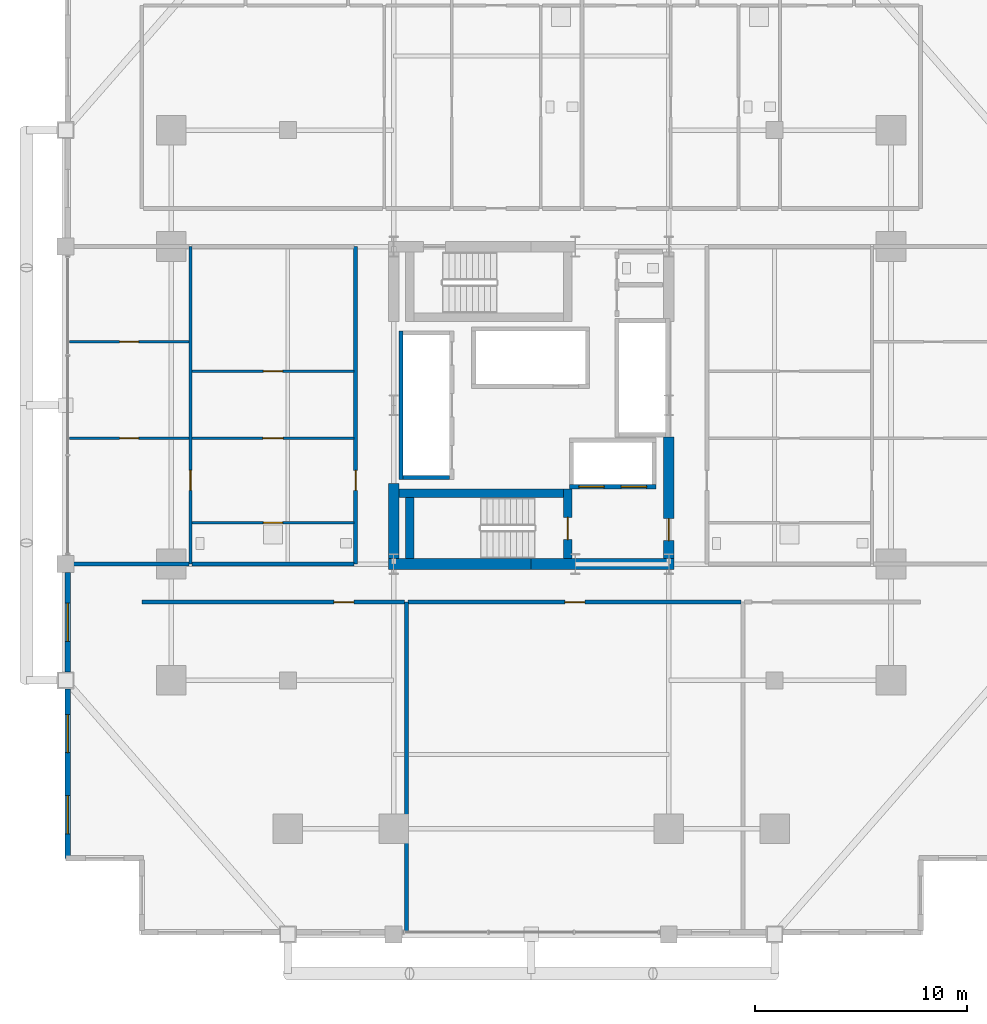
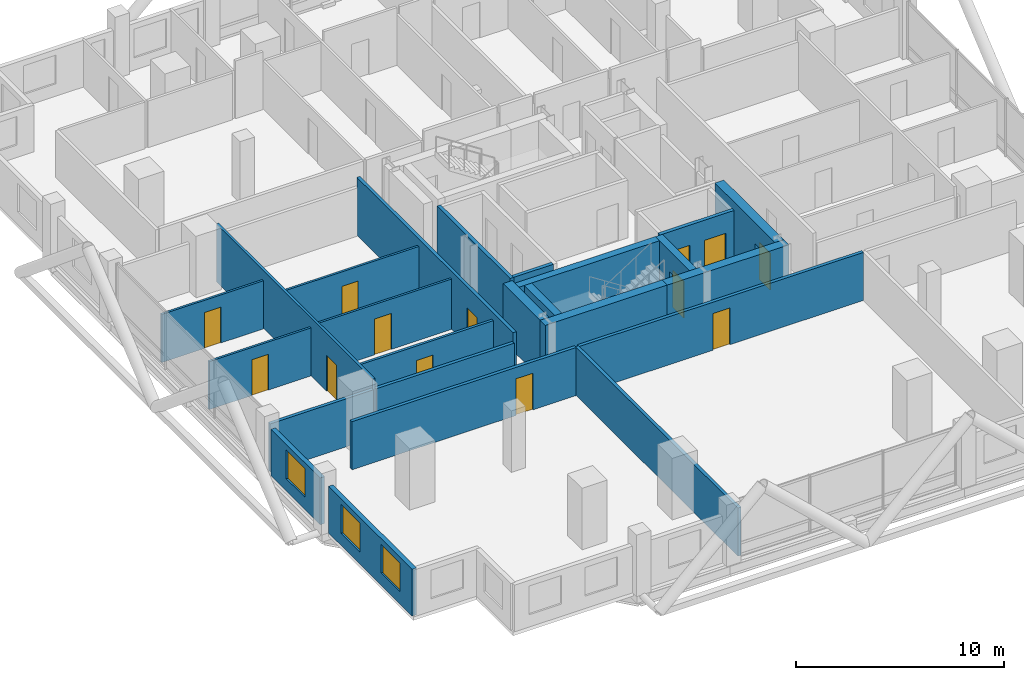
# One storey, part 21 of 27: 24 walls, 13 doors, 3 windows, 16 openings.
"""IFC4 building model written with IfcOpenShell, lengths in metres."""

from ifc_helpers import new_model, si_unit, direction, frame, frame_2d, origin, place, context, subcontext, project, spatial, rectangle, extrude, material, layer, layer_set, type_object, element, fill, save


model = new_model("IFC4")

# Units and contexts
model_context = context("Model", 3, precision=1e-05, world=origin(), true_north=direction((0.0, 1.0)))
body_context = subcontext(model_context, "Body", "Model", "MODEL_VIEW")
ifc_project = project(units=[si_unit("LENGTHUNIT", "METRE"), si_unit("AREAUNIT", "SQUARE_METRE"), si_unit("VOLUMEUNIT", "CUBIC_METRE"), si_unit("PLANEANGLEUNIT", "RADIAN"), si_unit("MASSUNIT", "GRAM", prefix="KILO")], contexts=[model_context])

# Site, building, storey
site_placement = place(None, origin())
site = spatial("IfcSite", under=ifc_project, at=site_placement, CompositionType="ELEMENT")
building_placement = place(site_placement, origin())
building = spatial("IfcBuilding", under=site, at=building_placement, Name="Barlavira Tower and Art Museum", CompositionType="ELEMENT")
storey_placement = place(building_placement, frame((0.0, 0.0, 61.199951171875)))
storey = spatial("IfcBuildingStorey", under=building, at=storey_placement, Name="L14", CompositionType="ELEMENT", Elevation=61.199951171875)

# Wall, opening, door
ifc_material_1 = material(Name="Gypsum acoustic stud partition", Category="gypsum")
ifc_layer_1 = layer(ifc_material_1, 0.1201171875, Name="Gypsum acoustic stud partition")
ifc_layer_set_1 = layer_set([ifc_layer_1], Name="Gypsum acoustic stud partition")
wall_type_1 = type_object("IfcWallType", Name="Apartment Internal Acoustic Partition 120", PredefinedType="PARTITIONING", material=ifc_layer_set_1)
wall_1_placement = place(storey_placement, frame((-21.820068359375, -1.550048828125, 0.0), z_axis=(0.0, 0.0, 1.0), x_axis=(1.0, 0.0, 0.0)))
wall_1 = element("IfcWall", 1, at=wall_1_placement, inside=storey, type_object=wall_type_1, Name="L14 Partition Wall 30", PredefinedType="PARTITIONING", context=body_context, shape_type="SweptSolid", body=[
    extrude(rectangle(XDim=5.64013671875, YDim=0.1201171875, at=frame_2d((2.820068359375, 0.0))), origin(), (0.0, 0.0, 1.0), 2.816162109375),
])
opening_1_placement = place(wall_1_placement, frame((2.3701171875, 0.0, 0.0)))
opening_1 = element("IfcOpeningElement", 2, at=opening_1_placement, cuts=wall_1, Name="Opening D-01", PredefinedType="OPENING", context=body_context, shape_type="SweptSolid", body=[
    extrude(rectangle(XDim=0.89990234375, YDim=2.10009765625, at=frame_2d((0.449951171875, 1.050048828125))), frame((0.0, 0.070068359375, 0.0), z_axis=(0.0, -1.0, 0.0), x_axis=(1.0, 0.0, 0.0)), (0.0, 0.0, 1.0), 0.14013671875),
])
ifc_material_2 = material(Name="Engineered coastal hardwood", Category="wood")
door_type_1 = type_object("IfcDoorType", Name="Internal Bedroom Timber Flush Door 900x2100", OperationType="NOTDEFINED", PredefinedType="DOOR", material=ifc_material_2)
door_1_placement = place(opening_1_placement, origin())
door_1 = element("IfcDoor", 3, at=door_1_placement, inside=storey, type_object=door_type_1, Name="Apartment W1 Bedroom 1 Door", OperationType="SINGLE_SWING_LEFT", OverallHeight=2.10009765625, OverallWidth=0.89990234375, PredefinedType="DOOR", context=body_context, shape_type="SweptSolid", body=[
    extrude(rectangle(XDim=0.89990234375, YDim=2.10009765625, at=frame_2d((0.449951171875, 1.050048828125))), frame((0.0, 0.02490234375, 0.0), z_axis=(0.0, -1.0, 0.0), x_axis=(1.0, 0.0, 0.0)), (0.0, 0.0, 1.0), 0.050048828125),
])
fill(opening_1, door_1)

wall_2_placement = place(storey_placement, frame((-16.02001953125, -1.550048828125, 0.0), z_axis=(0.0, 0.0, 1.0), x_axis=(1.0, 0.0, 0.0)))
wall_2 = element("IfcWall", 4, at=wall_2_placement, inside=storey, type_object=wall_type_1, Name="L14 Partition Wall 31", PredefinedType="PARTITIONING", context=body_context, shape_type="SweptSolid", body=[
    extrude(rectangle(XDim=7.64013671875, YDim=0.1201171875, at=frame_2d((3.820068359375, 0.0))), origin(), (0.0, 0.0, 1.0), 2.947998046875),
])
opening_2_placement = place(wall_2_placement, frame((3.344970703125, 0.0, 0.0)))
opening_2 = element("IfcOpeningElement", 5, at=opening_2_placement, cuts=wall_2, Name="Opening D-02", PredefinedType="OPENING", context=body_context, shape_type="SweptSolid", body=[
    extrude(rectangle(XDim=0.949951171875, YDim=2.10009765625, at=frame_2d((0.47509765625, 1.050048828125))), frame((0.0, 0.070068359375, 0.0), z_axis=(0.0, -1.0, 0.0), x_axis=(1.0, 0.0, 0.0)), (0.0, 0.0, 1.0), 0.14013671875),
])
door_type_2 = type_object("IfcDoorType", Name="Living and Salon Glazed-Leaf Door 950x2100", OperationType="NOTDEFINED", PredefinedType="DOOR", material=ifc_material_2)
door_2_placement = place(opening_2_placement, origin())
door_2 = element("IfcDoor", 6, at=door_2_placement, inside=storey, type_object=door_type_2, Name="Apartment W1 Kitchen Door", OperationType="SINGLE_SWING_RIGHT", OverallHeight=2.10009765625, OverallWidth=0.949951171875, PredefinedType="DOOR", context=body_context, shape_type="SweptSolid", body=[
    extrude(rectangle(XDim=0.949951171875, YDim=2.10009765625, at=frame_2d((0.47509765625, 1.050048828125))), frame((0.0, 0.02490234375, 0.0), z_axis=(0.0, -1.0, 0.0), x_axis=(1.0, 0.0, 0.0)), (0.0, 0.0, 1.0), 0.050048828125),
])
fill(opening_2, door_2)

wall_3_placement = place(storey_placement, frame((-16.02001953125, 1.60009765625, 0.0), z_axis=(0.0, 0.0, 1.0), x_axis=(1.0, 0.0, 0.0)))
wall_3 = element("IfcWall", 7, at=wall_3_placement, inside=storey, type_object=wall_type_1, Name="L14 Partition Wall 34", PredefinedType="PARTITIONING", context=body_context, shape_type="SweptSolid", body=[
    extrude(rectangle(XDim=7.64013671875, YDim=0.1201171875, at=frame_2d((3.820068359375, 0.0))), origin(), (0.0, 0.0, 1.0), 2.947998046875),
])
opening_3_placement = place(wall_3_placement, frame((3.3701171875, 0.0, 0.0)))
opening_3 = element("IfcOpeningElement", 8, at=opening_3_placement, cuts=wall_3, Name="Opening D-01", PredefinedType="OPENING", context=body_context, shape_type="SweptSolid", body=[
    extrude(rectangle(XDim=0.89990234375, YDim=2.10009765625, at=frame_2d((0.449951171875, 1.050048828125))), frame((0.0, 0.070068359375, 0.0), z_axis=(0.0, -1.0, 0.0), x_axis=(1.0, 0.0, 0.0)), (0.0, 0.0, 1.0), 0.14013671875),
])
door_3_placement = place(opening_3_placement, origin())
door_3 = element("IfcDoor", 9, at=door_3_placement, inside=storey, type_object=door_type_1, Name="Apartment W1 Walk-In Dressing Room Door", OperationType="SINGLE_SWING_LEFT", OverallHeight=2.10009765625, OverallWidth=0.89990234375, PredefinedType="DOOR", context=body_context, shape_type="SweptSolid", body=[
    extrude(rectangle(XDim=0.89990234375, YDim=2.10009765625, at=frame_2d((0.449951171875, 1.050048828125))), frame((0.0, 0.02490234375, 0.0), z_axis=(0.0, -1.0, 0.0), x_axis=(1.0, 0.0, 0.0)), (0.0, 0.0, 1.0), 0.050048828125),
])
fill(opening_3, door_3)

wall_4_placement = place(storey_placement, frame((-21.820068359375, 3.0, 0.0), z_axis=(0.0, 0.0, 1.0), x_axis=(1.0, 0.0, 0.0)))
wall_4 = element("IfcWall", 10, at=wall_4_placement, inside=storey, type_object=wall_type_1, Name="L14 Partition Wall 36", PredefinedType="PARTITIONING", context=body_context, shape_type="SweptSolid", body=[
    extrude(rectangle(XDim=5.64013671875, YDim=0.1201171875, at=frame_2d((2.820068359375, 0.0))), origin(), (0.0, 0.0, 1.0), 2.816162109375),
])
opening_4_placement = place(wall_4_placement, frame((2.3701171875, 0.0, 0.0)))
opening_4 = element("IfcOpeningElement", 11, at=opening_4_placement, cuts=wall_4, Name="Opening D-01", PredefinedType="OPENING", context=body_context, shape_type="SweptSolid", body=[
    extrude(rectangle(XDim=0.89990234375, YDim=2.10009765625, at=frame_2d((0.449951171875, 1.050048828125))), frame((0.0, 0.070068359375, 0.0), z_axis=(0.0, -1.0, 0.0), x_axis=(1.0, 0.0, 0.0)), (0.0, 0.0, 1.0), 0.14013671875),
])
door_4_placement = place(opening_4_placement, origin())
door_4 = element("IfcDoor", 12, at=door_4_placement, inside=storey, type_object=door_type_1, Name="Apartment W1 Bedroom 2 Door", OperationType="SINGLE_SWING_RIGHT", OverallHeight=2.10009765625, OverallWidth=0.89990234375, PredefinedType="DOOR", context=body_context, shape_type="SweptSolid", body=[
    extrude(rectangle(XDim=0.89990234375, YDim=2.10009765625, at=frame_2d((0.449951171875, 1.050048828125))), frame((0.0, 0.02490234375, 0.0), z_axis=(0.0, -1.0, 0.0), x_axis=(1.0, 0.0, 0.0)), (0.0, 0.0, 1.0), 0.050048828125),
])
fill(opening_4, door_4)

# Walls
ifc_material_3 = material(Name="Concrete C60", Category="concrete")
ifc_layer_2 = layer(ifc_material_3, 0.5, Name="Concrete C60")
ifc_layer_set_2 = layer_set([ifc_layer_2], Name="Concrete C60")
wall_type_2 = type_object("IfcWallType", Name="Core Structural Shear Wall 500 Concrete C60", PredefinedType="SHEAR", material=ifc_layer_set_2)
for number, where, z_axis, x_axis, name in (
    (13, (-6.75, -7.5, 0.0), (0.0, 0.0, 1.0), (1.0, 0.0, 0.0), "L14 Core Shear Wall CS-SW"),
    (14, (0.0, -7.5, 0.0), (0.0, 0.0, 1.0), (1.0, 0.0, 0.0), "L14 Core Shear Wall CS-SE"),
):
    element("IfcWall", number, at=place(storey_placement, frame(where, z_axis=z_axis, x_axis=x_axis)), inside=storey, type_object=wall_type_2, Name=name, PredefinedType="SHEAR", context=body_context, shape_type="SweptSolid", body=[
        extrude(rectangle(XDim=6.75, YDim=0.5, at=frame_2d((3.375, 0.0))), origin(), (0.0, 0.0, 1.0), 3.380126953125),
    ])
wall_5_placement = place(storey_placement, frame((-6.5, -7.25, 0.0), z_axis=(0.0, 0.0, 1.0), x_axis=(0.0, 1.0, 0.0)))
element("IfcWall", 15, at=wall_5_placement, inside=storey, type_object=wall_type_2, Name="L14 Core Shear Wall CS-W1", PredefinedType="SHEAR", context=body_context, shape_type="SweptSolid", body=[
    extrude(rectangle(XDim=3.550048828125, YDim=0.5, at=frame_2d((1.77490234375, 0.0))), origin(), (0.0, 0.0, 1.0), 3.380126953125),
])

# Wall, opening, door
wall_6_placement = place(storey_placement, frame((6.5, -7.25, 0.0), z_axis=(0.0, 0.0, 1.0), x_axis=(0.0, 1.0, 0.0)))
wall_6 = element("IfcWall", 16, at=wall_6_placement, inside=storey, type_object=wall_type_2, Name="L14 Core Shear Wall CS-E1", PredefinedType="SHEAR", context=body_context, shape_type="SweptSolid", body=[
    extrude(rectangle(XDim=5.75, YDim=0.5, at=frame_2d((2.875, 0.0))), origin(), (0.0, 0.0, 1.0), 3.380126953125),
])
opening_5_placement = place(wall_6_placement, frame((0.85009765625, 0.0, 0.0)))
opening_5 = element("IfcOpeningElement", 17, at=opening_5_placement, cuts=wall_6, Name="Opening FD-90", PredefinedType="OPENING", context=body_context, shape_type="SweptSolid", body=[
    extrude(rectangle(XDim=1.050048828125, YDim=2.14990234375, at=frame_2d((0.52490234375, 1.074951171875))), frame((0.0, 0.260009765625, 0.0), z_axis=(0.0, -1.0, 0.0), x_axis=(1.0, 0.0, 0.0)), (0.0, 0.0, 1.0), 0.52001953125),
])
ifc_material_4 = material(Name="Brushed stainless steel", Category="steel")
door_type_3 = type_object("IfcDoorType", Name="Stair and Refuge Fire Door 1050x2150 FD90S", OperationType="NOTDEFINED", PredefinedType="DOOR", material=ifc_material_4)
door_5_placement = place(opening_5_placement, origin())
door_5 = element("IfcDoor", 18, at=door_5_placement, inside=storey, type_object=door_type_3, Name="L14 Firefighting Lobby Entry Fire Door", OperationType="SINGLE_SWING_LEFT", OverallHeight=2.14990234375, OverallWidth=1.050048828125, PredefinedType="DOOR", context=body_context, shape_type="SweptSolid", body=[
    extrude(rectangle(XDim=1.050048828125, YDim=2.14990234375, at=frame_2d((0.52490234375, 1.074951171875))), frame((0.0, 0.02490234375, 0.0), z_axis=(0.0, -1.0, 0.0), x_axis=(1.0, 0.0, 0.0)), (0.0, 0.0, 1.0), 0.050048828125),
])
fill(opening_5, door_5)

# Walls
ifc_material_5 = material(Name="Autoclaved aerated concrete masonry", Category="masonry")
ifc_layer_3 = layer(ifc_material_5, 0.199951171875, Name="Autoclaved aerated concrete masonry")
ifc_layer_set_3 = layer_set([ifc_layer_3], Name="Autoclaved aerated concrete masonry")
wall_type_3 = type_object("IfcWallType", Name="Fire Compartment and Shaft Wall 200", PredefinedType="SOLIDWALL", material=ifc_layer_set_3)
wall_7_placement = place(storey_placement, frame((-6.14990234375, -3.510009765625, 0.0), z_axis=(0.0, 0.0, 1.0), x_axis=(0.0, 1.0, 0.0)))
element("IfcWall", 19, at=wall_7_placement, inside=storey, type_object=wall_type_3, Name="L14 Low-Rise Lift Back Shaft Wall", PredefinedType="SOLIDWALL", context=body_context, shape_type="SweptSolid", body=[
    extrude(rectangle(XDim=7.02001953125, YDim=0.199951171875, at=frame_2d((3.510009765625, 0.0))), origin(), (0.0, 0.0, 1.0), 3.380126953125),
])
wall_8_placement = place(storey_placement, frame((-6.050048828125, -3.409912109375, 0.0), z_axis=(0.0, 0.0, 1.0), x_axis=(1.0, 0.0, 0.0)))
element("IfcWall", 20, at=wall_8_placement, inside=storey, type_object=wall_type_3, Name="L14 Low-Rise Lift South Shaft Wall", PredefinedType="SOLIDWALL", context=body_context, shape_type="SweptSolid", body=[
    extrude(rectangle(XDim=2.199951171875, YDim=0.199951171875, at=frame_2d((1.10009765625, 0.0))), origin(), (0.0, 0.0, 1.0), 3.380126953125),
])

# Wall, openings, doors
wall_9_placement = place(storey_placement, frame((1.800048828125, -3.85009765625, 0.0), z_axis=(0.0, 0.0, 1.0), x_axis=(1.0, 0.0, 0.0)))
wall_9 = element("IfcWall", 21, at=wall_9_placement, inside=storey, type_object=wall_type_3, Name="L14 Firefighting Lift Front Shaft Wall", PredefinedType="SOLIDWALL", context=body_context, shape_type="SweptSolid", body=[
    extrude(rectangle(XDim=4.099853515625, YDim=0.199951171875, at=frame_2d((2.0498046875, 0.0))), origin(), (0.0, 0.0, 1.0), 3.380126953125),
])
opening_6_placement = place(wall_9_placement, frame((0.449951171875, 0.0, 0.0)))
opening_6 = element("IfcOpeningElement", 22, at=opening_6_placement, cuts=wall_9, Name="Opening LD-F", PredefinedType="OPENING", context=body_context, shape_type="SweptSolid", body=[
    extrude(rectangle(XDim=1.199951171875, YDim=2.199951171875, at=frame_2d((0.60009765625, 1.10009765625))), frame((0.0, 0.10986328125, 0.0), z_axis=(0.0, -1.0, 0.0), x_axis=(1.0, 0.0, 0.0)), (0.0, 0.0, 1.0), 0.219970703125),
])
opening_7_placement = place(wall_9_placement, frame((2.449951171875, 0.0, 0.0)))
opening_7 = element("IfcOpeningElement", 23, at=opening_7_placement, cuts=wall_9, Name="Opening LD-F", PredefinedType="OPENING", context=body_context, shape_type="SweptSolid", body=[
    extrude(rectangle(XDim=1.199951171875, YDim=2.199951171875, at=frame_2d((0.60009765625, 1.10009765625))), frame((0.0, 0.10986328125, 0.0), z_axis=(0.0, -1.0, 0.0), x_axis=(1.0, 0.0, 0.0)), (0.0, 0.0, 1.0), 0.219970703125),
])
door_type_4 = type_object("IfcDoorType", Name="Firefighting and Service Lift Sliding Door 1200x2200 FD120", OperationType="NOTDEFINED", PredefinedType="DOOR", material=ifc_material_4)
door_6_placement = place(opening_6_placement, origin())
door_6 = element("IfcDoor", 24, at=door_6_placement, inside=storey, type_object=door_type_4, Name="L14 Firefighting Lift FF1 Sliding Door", OperationType="DOUBLE_DOOR_SLIDING", OverallHeight=2.199951171875, OverallWidth=1.199951171875, PredefinedType="DOOR", context=body_context, shape_type="SweptSolid", body=[
    extrude(rectangle(XDim=1.199951171875, YDim=2.199951171875, at=frame_2d((0.60009765625, 1.10009765625))), frame((0.0, 0.02490234375, 0.0), z_axis=(0.0, -1.0, 0.0), x_axis=(1.0, 0.0, 0.0)), (0.0, 0.0, 1.0), 0.050048828125),
])
fill(opening_6, door_6)
door_7_placement = place(opening_7_placement, origin())
door_7 = element("IfcDoor", 25, at=door_7_placement, inside=storey, type_object=door_type_4, Name="L14 Firefighting Lift FF2 Sliding Door", OperationType="DOUBLE_DOOR_SLIDING", OverallHeight=2.199951171875, OverallWidth=1.199951171875, PredefinedType="DOOR", context=body_context, shape_type="SweptSolid", body=[
    extrude(rectangle(XDim=1.199951171875, YDim=2.199951171875, at=frame_2d((0.60009765625, 1.10009765625))), frame((0.0, 0.02490234375, 0.0), z_axis=(0.0, -1.0, 0.0), x_axis=(1.0, 0.0, 0.0)), (0.0, 0.0, 1.0), 0.050048828125),
])
fill(opening_7, door_7)

# Wall, opening, door
ifc_layer_4 = layer(ifc_material_1, 0.179931640625, Name="Gypsum acoustic stud partition")
ifc_layer_set_4 = layer_set([ifc_layer_4], Name="Gypsum acoustic stud partition")
wall_type_4 = type_object("IfcWallType", Name="Inter-Tenancy Party Partition Wall 180", PredefinedType="PARTITIONING", material=ifc_layer_set_4)
wall_10_placement = place(storey_placement, frame((-8.300048828125, -7.5, 0.0), z_axis=(0.0, 0.0, 1.0), x_axis=(0.0, 1.0, 0.0)))
wall_10 = element("IfcWall", 26, at=wall_10_placement, inside=storey, type_object=wall_type_4, Name="L14 Partition Wall 5", PredefinedType="PARTITIONING", context=body_context, shape_type="SweptSolid", body=[
    extrude(rectangle(XDim=15.0, YDim=0.179931640625, at=frame_2d((7.5, 0.0))), origin(), (0.0, 0.0, 1.0), 3.380126953125),
])
opening_8_placement = place(wall_10_placement, frame((3.47509765625, 0.0, 0.0)))
opening_8 = element("IfcOpeningElement", 27, at=opening_8_placement, cuts=wall_10, Name="Opening FD-60", PredefinedType="OPENING", context=body_context, shape_type="SweptSolid", body=[
    extrude(rectangle(XDim=0.949951171875, YDim=2.14990234375, at=frame_2d((0.47509765625, 1.074951171875))), frame((0.0, 0.10009765625, 0.0), z_axis=(0.0, -1.0, 0.0), x_axis=(1.0, 0.0, 0.0)), (0.0, 0.0, 1.0), 0.199951171875),
])
door_type_5 = type_object("IfcDoorType", Name="Apartment Entrance and Riser Fire Door 950x2150 FD60S", OperationType="NOTDEFINED", PredefinedType="DOOR", material=ifc_material_4)
door_8_placement = place(opening_8_placement, origin())
door_8 = element("IfcDoor", 28, at=door_8_placement, inside=storey, type_object=door_type_5, Name="Apartment Entrance Hall W1 Door", OperationType="SINGLE_SWING_LEFT", OverallHeight=2.14990234375, OverallWidth=0.949951171875, PredefinedType="DOOR", context=body_context, shape_type="SweptSolid", body=[
    extrude(rectangle(XDim=0.949951171875, YDim=2.14990234375, at=frame_2d((0.47509765625, 1.074951171875))), frame((0.0, 0.02490234375, 0.0), z_axis=(0.0, -1.0, 0.0), x_axis=(1.0, 0.0, 0.0)), (0.0, 0.0, 1.0), 0.050048828125),
])
fill(opening_8, door_8)

# Wall
wall_11_placement = place(storey_placement, frame((-5.89990234375, -24.89990234375, 0.0), z_axis=(0.0, 0.0, 1.0), x_axis=(0.0, 1.0, 0.0)))
element("IfcWall", 29, at=wall_11_placement, inside=storey, type_object=wall_type_4, Name="L14 Partition Wall 7", PredefinedType="PARTITIONING", context=body_context, shape_type="SweptSolid", body=[
    extrude(rectangle(XDim=15.599853515625, YDim=0.179931640625, at=frame_2d((7.7998046875, 0.0))), origin(), (0.0, 0.0, 1.0), 2.816162109375),
])

# Wall, opening, door
wall_12_placement = place(storey_placement, frame((-18.39990234375, -9.300048828125, 0.0), z_axis=(0.0, 0.0, 1.0), x_axis=(1.0, 0.0, 0.0)))
wall_12 = element("IfcWall", 30, at=wall_12_placement, inside=storey, type_object=wall_type_4, Name="L14 Partition Wall 21", PredefinedType="PARTITIONING", context=body_context, shape_type="SweptSolid", body=[
    extrude(rectangle(XDim=12.419921875, YDim=0.179931640625, at=frame_2d((6.2099609375, 0.0))), origin(), (0.0, 0.0, 1.0), 2.816162109375),
])
opening_9_placement = place(wall_12_placement, frame((9.074951171875, 0.0, 0.0)))
opening_9 = element("IfcOpeningElement", 31, at=opening_9_placement, cuts=wall_12, Name="Opening FD-60", PredefinedType="OPENING", context=body_context, shape_type="SweptSolid", body=[
    extrude(rectangle(XDim=0.949951171875, YDim=2.14990234375, at=frame_2d((0.47509765625, 1.074951171875))), frame((0.0, 0.10009765625, 0.0), z_axis=(0.0, -1.0, 0.0), x_axis=(1.0, 0.0, 0.0)), (0.0, 0.0, 1.0), 0.199951171875),
])
door_9_placement = place(opening_9_placement, origin())
door_9 = element("IfcDoor", 32, at=door_9_placement, inside=storey, type_object=door_type_5, Name="Resident Sky Coworking Studio Door", OperationType="SINGLE_SWING_LEFT", OverallHeight=2.14990234375, OverallWidth=0.949951171875, PredefinedType="DOOR", context=body_context, shape_type="SweptSolid", body=[
    extrude(rectangle(XDim=0.949951171875, YDim=2.14990234375, at=frame_2d((0.47509765625, 1.074951171875))), frame((0.0, 0.02490234375, 0.0), z_axis=(0.0, -1.0, 0.0), x_axis=(1.0, 0.0, 0.0)), (0.0, 0.0, 1.0), 0.050048828125),
])
fill(opening_9, door_9)

wall_13_placement = place(storey_placement, frame((-5.820068359375, -9.300048828125, 0.0), z_axis=(0.0, 0.0, 1.0), x_axis=(1.0, 0.0, 0.0)))
wall_13 = element("IfcWall", 33, at=wall_13_placement, inside=storey, type_object=wall_type_4, Name="L14 Partition Wall 22", PredefinedType="PARTITIONING", context=body_context, shape_type="SweptSolid", body=[
    extrude(rectangle(XDim=15.739990234375, YDim=0.179931640625, at=frame_2d((7.8701171875, 0.0))), origin(), (0.0, 0.0, 1.0), 2.816162109375),
])
opening_10_placement = place(wall_13_placement, frame((7.405029296875, 0.0, 0.0)))
opening_10 = element("IfcOpeningElement", 34, at=opening_10_placement, cuts=wall_13, Name="Opening FD-60", PredefinedType="OPENING", context=body_context, shape_type="SweptSolid", body=[
    extrude(rectangle(XDim=0.949951171875, YDim=2.14990234375, at=frame_2d((0.47509765625, 1.074951171875))), frame((0.0, 0.10009765625, 0.0), z_axis=(0.0, -1.0, 0.0), x_axis=(1.0, 0.0, 0.0)), (0.0, 0.0, 1.0), 0.199951171875),
])
door_10_placement = place(opening_10_placement, origin())
door_10 = element("IfcDoor", 35, at=door_10_placement, inside=storey, type_object=door_type_5, Name="Atlantic Horizon Boardroom Door", OperationType="SINGLE_SWING_RIGHT", OverallHeight=2.14990234375, OverallWidth=0.949951171875, PredefinedType="DOOR", context=body_context, shape_type="SweptSolid", body=[
    extrude(rectangle(XDim=0.949951171875, YDim=2.14990234375, at=frame_2d((0.47509765625, 1.074951171875))), frame((0.0, 0.02490234375, 0.0), z_axis=(0.0, -1.0, 0.0), x_axis=(1.0, 0.0, 0.0)), (0.0, 0.0, 1.0), 0.050048828125),
])
fill(opening_10, door_10)

# Walls
wall_14_placement = place(storey_placement, frame((-21.89990234375, -7.5, 0.0), z_axis=(0.0, 0.0, 1.0), x_axis=(1.0, 0.0, 0.0)))
element("IfcWall", 36, at=wall_14_placement, inside=storey, type_object=wall_type_4, Name="L14 Partition Wall 24", PredefinedType="PARTITIONING", context=body_context, shape_type="SweptSolid", body=[
    extrude(rectangle(XDim=5.719970703125, YDim=0.179931640625, at=frame_2d((2.85986328125, 0.0))), origin(), (0.0, 0.0, 1.0), 2.816162109375),
])
wall_15_placement = place(storey_placement, frame((-16.02001953125, -7.5, 0.0), z_axis=(0.0, 0.0, 1.0), x_axis=(1.0, 0.0, 0.0)))
element("IfcWall", 37, at=wall_15_placement, inside=storey, type_object=wall_type_4, Name="L14 Partition Wall 25", PredefinedType="PARTITIONING", context=body_context, shape_type="SweptSolid", body=[
    extrude(rectangle(XDim=7.64013671875, YDim=0.179931640625, at=frame_2d((3.820068359375, 0.0))), origin(), (0.0, 0.0, 1.0), 2.816162109375),
])

# Wall, opening, door
ifc_layer_5 = layer(ifc_material_1, 0.139892578125, Name="Gypsum acoustic stud partition")
ifc_layer_set_5 = layer_set([ifc_layer_5], Name="Gypsum acoustic stud partition")
wall_type_5 = type_object("IfcWallType", Name="Moisture-Resistant Bathroom Partition 140", PredefinedType="PARTITIONING", material=ifc_layer_set_5)
wall_16_placement = place(storey_placement, frame((-16.10009765625, -7.5, 0.0), z_axis=(0.0, 0.0, 1.0), x_axis=(0.0, 1.0, 0.0)))
wall_16 = element("IfcWall", 38, at=wall_16_placement, inside=storey, type_object=wall_type_5, Name="L14 Partition Wall 2", PredefinedType="PARTITIONING", context=body_context, shape_type="SweptSolid", body=[
    extrude(rectangle(XDim=15.0, YDim=0.139892578125, at=frame_2d((7.5, 0.0))), origin(), (0.0, 0.0, 1.0), 3.380126953125),
])
opening_11_placement = place(wall_16_placement, frame((3.47509765625, 0.0, 0.0)))
opening_11 = element("IfcOpeningElement", 39, at=opening_11_placement, cuts=wall_16, Name="Opening D-02", PredefinedType="OPENING", context=body_context, shape_type="SweptSolid", body=[
    extrude(rectangle(XDim=0.949951171875, YDim=2.10009765625, at=frame_2d((0.47509765625, 1.050048828125))), frame((0.0, 0.080078125, 0.0), z_axis=(0.0, -1.0, 0.0), x_axis=(1.0, 0.0, 0.0)), (0.0, 0.0, 1.0), 0.159912109375),
])
door_11_placement = place(opening_11_placement, origin())
door_11 = element("IfcDoor", 40, at=door_11_placement, inside=storey, type_object=door_type_2, Name="Apartment W1 Living Lounge Door", OperationType="SINGLE_SWING_RIGHT", OverallHeight=2.10009765625, OverallWidth=0.949951171875, PredefinedType="DOOR", context=body_context, shape_type="SweptSolid", body=[
    extrude(rectangle(XDim=0.949951171875, YDim=2.10009765625, at=frame_2d((0.47509765625, 1.050048828125))), frame((0.0, 0.02490234375, 0.0), z_axis=(0.0, -1.0, 0.0), x_axis=(1.0, 0.0, 0.0)), (0.0, 0.0, 1.0), 0.050048828125),
])
fill(opening_11, door_11)

wall_17_placement = place(storey_placement, frame((-16.02001953125, -5.550048828125, 0.0), z_axis=(0.0, 0.0, 1.0), x_axis=(1.0, 0.0, 0.0)))
wall_17 = element("IfcWall", 41, at=wall_17_placement, inside=storey, type_object=wall_type_5, Name="L14 Partition Wall 28", PredefinedType="PARTITIONING", context=body_context, shape_type="SweptSolid", body=[
    extrude(rectangle(XDim=7.64013671875, YDim=0.139892578125, at=frame_2d((3.820068359375, 0.0))), origin(), (0.0, 0.0, 1.0), 2.947998046875),
])
opening_12_placement = place(wall_17_placement, frame((3.3701171875, 0.0, 0.0)))
opening_12 = element("IfcOpeningElement", 42, at=opening_12_placement, cuts=wall_17, Name="Opening D-WC", PredefinedType="OPENING", context=body_context, shape_type="SweptSolid", body=[
    extrude(rectangle(XDim=0.89990234375, YDim=2.10009765625, at=frame_2d((0.449951171875, 1.050048828125))), frame((0.0, 0.080078125, 0.0), z_axis=(0.0, -1.0, 0.0), x_axis=(1.0, 0.0, 0.0)), (0.0, 0.0, 1.0), 0.159912109375),
])
door_type_6 = type_object("IfcDoorType", Name="Accessible Bathroom Flush Door 900x2100", OperationType="NOTDEFINED", PredefinedType="DOOR", material=ifc_material_2)
door_12_placement = place(opening_12_placement, origin())
door_12 = element("IfcDoor", 43, at=door_12_placement, inside=storey, type_object=door_type_6, Name="Apartment W1 Hall Bathroom Door", OperationType="SINGLE_SWING_RIGHT", OverallHeight=2.10009765625, OverallWidth=0.89990234375, PredefinedType="DOOR", context=body_context, shape_type="SweptSolid", body=[
    extrude(rectangle(XDim=0.89990234375, YDim=2.10009765625, at=frame_2d((0.449951171875, 1.050048828125))), frame((0.0, 0.02490234375, 0.0), z_axis=(0.0, -1.0, 0.0), x_axis=(1.0, 0.0, 0.0)), (0.0, 0.0, 1.0), 0.050048828125),
])
fill(opening_12, door_12)

# Wall, opening, window
ifc_material_6 = material(Name="Precast concrete C40", Category="concrete")
ifc_layer_6 = layer(ifc_material_6, 0.25, Name="Precast concrete C40")
ifc_layer_set_6 = layer_set([ifc_layer_6], Name="Precast concrete C40")
wall_type_6 = type_object("IfcWallType", Name="Notched Corner Spandrel Wall 250 Precast Concrete C40", PredefinedType="SOLIDWALL", material=ifc_layer_set_6)
wall_18_placement = place(storey_placement, frame((-21.89990234375, -7.89501953125, 0.0), z_axis=(0.0, 0.0, 1.0), x_axis=(0.0, -1.0, 0.0)))
wall_18 = element("IfcWall", 44, at=wall_18_placement, inside=storey, type_object=wall_type_6, Name="L14 Coastal Facade Pier Wall CW1-L14-W-4", PredefinedType="SOLIDWALL", context=body_context, shape_type="SweptSolid", body=[
    extrude(rectangle(XDim=4.7099609375, YDim=0.25, at=frame_2d((2.35498046875, 0.0))), origin(), (0.0, 0.0, 1.0), 2.736083984375),
])
opening_13_placement = place(wall_18_placement, frame((1.455078125, 0.0, 0.719970703125)))
opening_13 = element("IfcOpeningElement", 45, at=opening_13_placement, cuts=wall_18, Name="Opening WN-01", PredefinedType="OPENING", context=body_context, shape_type="SweptSolid", body=[
    extrude(rectangle(XDim=1.800048828125, YDim=1.679931640625, at=frame_2d((0.89990234375, 0.83984375))), frame((0.0, 0.135009765625, 0.0), z_axis=(0.0, -1.0, 0.0), x_axis=(1.0, 0.0, 0.0)), (0.0, 0.0, 1.0), 0.27001953125),
])
ifc_material_7 = material(Name="Low-iron coastal laminated glass", Category="glass")
window_type = type_object("IfcWindowType", Name="Recessed Notch Corner Punch Window 1800x1680", PartitioningType="SINGLE_PANEL", PredefinedType="WINDOW", material=ifc_material_7)
window_1_placement = place(opening_13_placement, origin())
window_1 = element("IfcWindow", 46, at=window_1_placement, inside=storey, type_object=window_type, Name="L14 Punched Facade Window EWP-CW1-L14-W-4-1", OverallHeight=1.679931640625, OverallWidth=1.800048828125, PartitioningType="SINGLE_PANEL", PredefinedType="WINDOW", context=body_context, shape_type="SweptSolid", body=[
    extrude(rectangle(XDim=1.800048828125, YDim=1.679931640625, at=frame_2d((0.89990234375, 0.83984375))), frame((0.0, 0.030029296875, 0.0), z_axis=(0.0, -1.0, 0.0), x_axis=(1.0, 0.0, 0.0)), (0.0, 0.0, 1.0), 0.06005859375),
])
fill(opening_13, window_1)

# Wall, openings, windows
wall_19_placement = place(storey_placement, frame((-21.89990234375, -13.39501953125, 0.0), z_axis=(0.0, 0.0, 1.0), x_axis=(0.0, -1.0, 0.0)))
wall_19 = element("IfcWall", 47, at=wall_19_placement, inside=storey, type_object=wall_type_6, Name="L14 Coastal Facade Pier Wall CW1-L14-W-5", PredefinedType="SOLIDWALL", context=body_context, shape_type="SweptSolid", body=[
    extrude(rectangle(XDim=8.030029296875, YDim=0.25, at=frame_2d((4.01513671875, 0.0))), origin(), (0.0, 0.0, 1.0), 2.736083984375),
])
opening_14_placement = place(wall_19_placement, frame((1.220947265625, 0.0, 0.719970703125)))
opening_14 = element("IfcOpeningElement", 48, at=opening_14_placement, cuts=wall_19, Name="Opening WN-01", PredefinedType="OPENING", context=body_context, shape_type="SweptSolid", body=[
    extrude(rectangle(XDim=1.800048828125, YDim=1.679931640625, at=frame_2d((0.89990234375, 0.83984375))), frame((0.0, 0.135009765625, 0.0), z_axis=(0.0, -1.0, 0.0), x_axis=(1.0, 0.0, 0.0)), (0.0, 0.0, 1.0), 0.27001953125),
])
opening_15_placement = place(wall_19_placement, frame((5.053955078125, 0.0, 0.719970703125)))
opening_15 = element("IfcOpeningElement", 49, at=opening_15_placement, cuts=wall_19, Name="Opening WN-01", PredefinedType="OPENING", context=body_context, shape_type="SweptSolid", body=[
    extrude(rectangle(XDim=1.800048828125, YDim=1.679931640625, at=frame_2d((0.89990234375, 0.83984375))), frame((0.0, 0.135009765625, 0.0), z_axis=(0.0, -1.0, 0.0), x_axis=(1.0, 0.0, 0.0)), (0.0, 0.0, 1.0), 0.27001953125),
])
window_2_placement = place(opening_14_placement, origin())
window_2 = element("IfcWindow", 50, at=window_2_placement, inside=storey, type_object=window_type, Name="L14 Punched Facade Window EWP-CW1-L14-W-5-1", OverallHeight=1.679931640625, OverallWidth=1.800048828125, PartitioningType="SINGLE_PANEL", PredefinedType="WINDOW", context=body_context, shape_type="SweptSolid", body=[
    extrude(rectangle(XDim=1.800048828125, YDim=1.679931640625, at=frame_2d((0.89990234375, 0.83984375))), frame((0.0, 0.030029296875, 0.0), z_axis=(0.0, -1.0, 0.0), x_axis=(1.0, 0.0, 0.0)), (0.0, 0.0, 1.0), 0.06005859375),
])
fill(opening_14, window_2)
window_3_placement = place(opening_15_placement, origin())
window_3 = element("IfcWindow", 51, at=window_3_placement, inside=storey, type_object=window_type, Name="L14 Punched Facade Window EWP-CW1-L14-W-5-2", OverallHeight=1.679931640625, OverallWidth=1.800048828125, PartitioningType="SINGLE_PANEL", PredefinedType="WINDOW", context=body_context, shape_type="SweptSolid", body=[
    extrude(rectangle(XDim=1.800048828125, YDim=1.679931640625, at=frame_2d((0.89990234375, 0.83984375))), frame((0.0, 0.030029296875, 0.0), z_axis=(0.0, -1.0, 0.0), x_axis=(1.0, 0.0, 0.0)), (0.0, 0.0, 1.0), 0.06005859375),
])
fill(opening_15, window_3)

# Walls
ifc_material_8 = material(Name="Concrete C55", Category="concrete")
ifc_layer_7 = layer(ifc_material_8, 0.39990234375, Name="Concrete C55")
ifc_layer_set_7 = layer_set([ifc_layer_7], Name="Concrete C55")
wall_type_7 = type_object("IfcWallType", Name="Upper Core Shear Wall 400 Concrete C55", PredefinedType="SHEAR", material=ifc_layer_set_7)
wall_20_placement = place(storey_placement, frame((-5.75, -7.25, 0.0), z_axis=(0.0, 0.0, 1.0), x_axis=(0.0, 1.0, 0.0)))
element("IfcWall", 52, at=wall_20_placement, inside=storey, type_object=wall_type_7, Name="L14 ST-T1 West Half-Landing Wall", PredefinedType="SHEAR", context=body_context, shape_type="SweptSolid", body=[
    extrude(rectangle(XDim=2.89990234375, YDim=0.39990234375, at=frame_2d((1.449951171875, 0.0))), origin(), (0.0, 0.0, 1.0), 3.380126953125),
])
wall_21_placement = place(storey_placement, frame((-6.25, -4.14990234375, 0.0), z_axis=(0.0, 0.0, 1.0), x_axis=(1.0, 0.0, 0.0)))
element("IfcWall", 53, at=wall_21_placement, inside=storey, type_object=wall_type_7, Name="L14 ST-T1 North Shaft Wall", PredefinedType="SHEAR", context=body_context, shape_type="SweptSolid", body=[
    extrude(rectangle(XDim=7.780029296875, YDim=0.39990234375, at=frame_2d((3.89013671875, 0.0))), origin(), (0.0, 0.0, 1.0), 3.380126953125),
])

# Wall, opening, door
wall_22_placement = place(storey_placement, frame((1.72998046875, -7.25, 0.0), z_axis=(0.0, 0.0, 1.0), x_axis=(0.0, 1.0, 0.0)))
wall_22 = element("IfcWall", 54, at=wall_22_placement, inside=storey, type_object=wall_type_7, Name="L14 ST-T1 East Landing Wall", PredefinedType="SHEAR", context=body_context, shape_type="SweptSolid", body=[
    extrude(rectangle(XDim=3.300048828125, YDim=0.39990234375, at=frame_2d((1.64990234375, 0.0))), origin(), (0.0, 0.0, 1.0), 3.380126953125),
])
opening_16_placement = place(wall_22_placement, frame((0.89990234375, 0.0, 0.0)))
opening_16 = element("IfcOpeningElement", 55, at=opening_16_placement, cuts=wall_22, Name="Opening FD-90", PredefinedType="OPENING", context=body_context, shape_type="SweptSolid", body=[
    extrude(rectangle(XDim=1.050048828125, YDim=2.14990234375, at=frame_2d((0.52490234375, 1.074951171875))), frame((0.0, 0.2099609375, 0.0), z_axis=(0.0, -1.0, 0.0), x_axis=(1.0, 0.0, 0.0)), (0.0, 0.0, 1.0), 0.419921875),
])
door_13_placement = place(opening_16_placement, origin())
door_13 = element("IfcDoor", 56, at=door_13_placement, inside=storey, type_object=door_type_3, Name="L14 Stair ST-T1 Fire Door", OperationType="SINGLE_SWING_RIGHT", OverallHeight=2.14990234375, OverallWidth=1.050048828125, PredefinedType="DOOR", context=body_context, shape_type="SweptSolid", body=[
    extrude(rectangle(XDim=1.050048828125, YDim=2.14990234375, at=frame_2d((0.52490234375, 1.074951171875))), frame((0.0, 0.02490234375, 0.0), z_axis=(0.0, -1.0, 0.0), x_axis=(1.0, 0.0, 0.0)), (0.0, 0.0, 1.0), 0.050048828125),
])
fill(opening_16, door_13)

save(model, "model.ifc")
